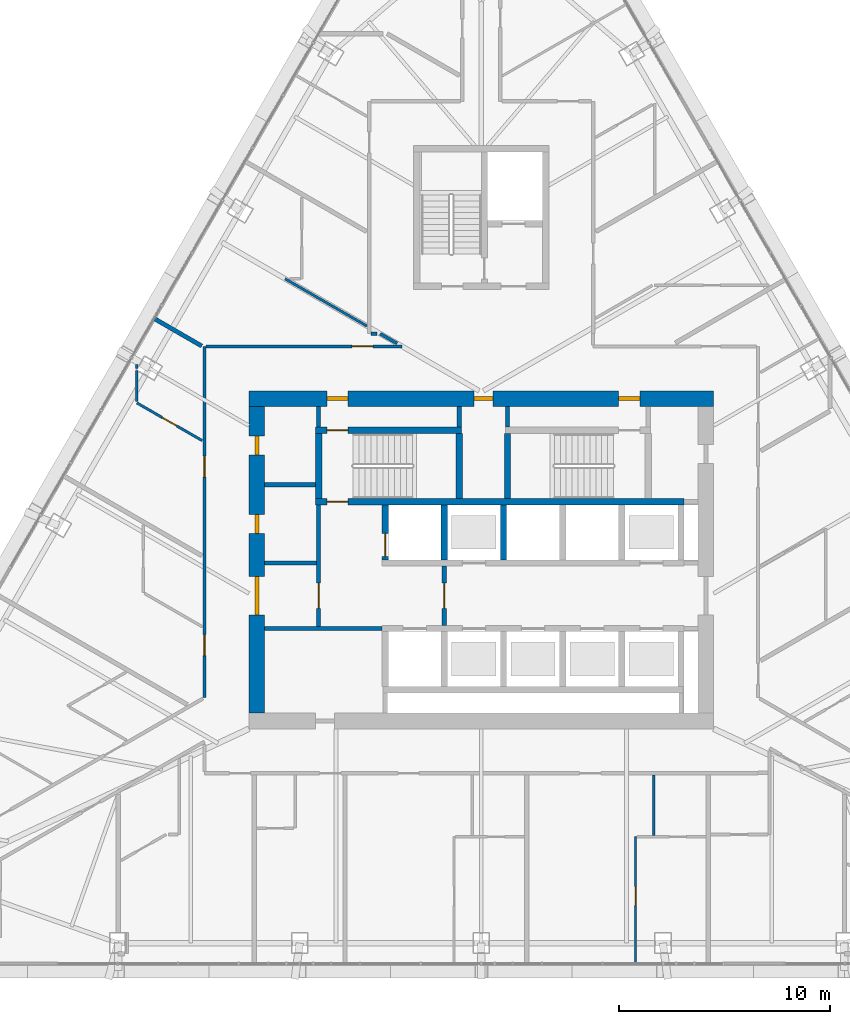
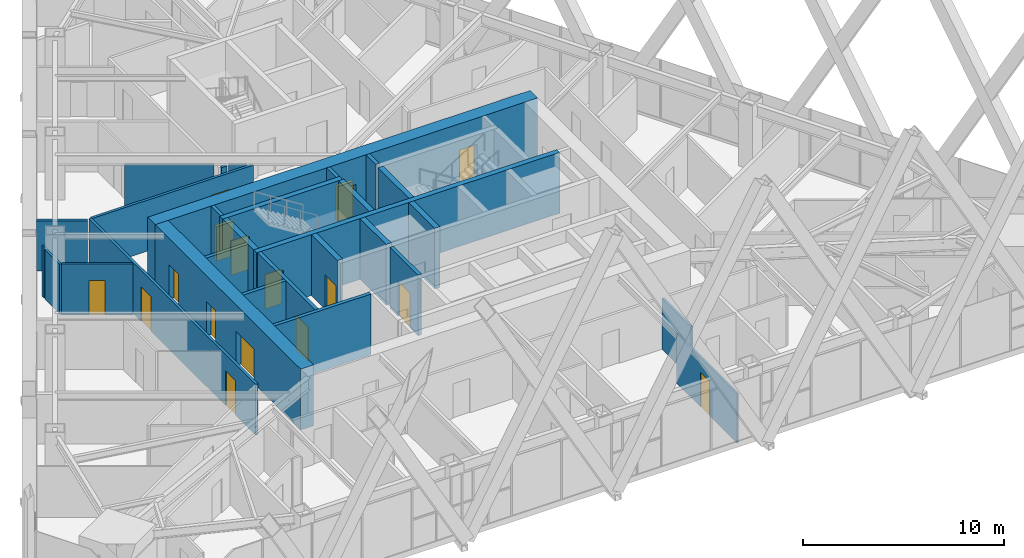
# One storey, part 18 of 23: 29 walls, 16 doors, 16 openings.
"""IFC4 building model written with IfcOpenShell, lengths in metres."""

from ifc_helpers import new_model, si_unit, direction, frame, frame_2d, origin, place, context, subcontext, project, spatial, rectangle, extrude, material, layer, layer_set, type_object, element, fill, save


model = new_model("IFC4")

# Units and contexts
model_context = context("Model", 3, precision=1e-05, world=origin(), true_north=direction((0.0, 1.0)))
body_context = subcontext(model_context, "Body", "Model", "MODEL_VIEW")
ifc_project = project(units=[si_unit("LENGTHUNIT", "METRE"), si_unit("AREAUNIT", "SQUARE_METRE"), si_unit("VOLUMEUNIT", "CUBIC_METRE"), si_unit("PLANEANGLEUNIT", "RADIAN"), si_unit("MASSUNIT", "GRAM", prefix="KILO")], contexts=[model_context])

# Site, building, storey
site_placement = place(None, origin())
site = spatial("IfcSite", under=ifc_project, at=site_placement, CompositionType="ELEMENT")
building_placement = place(site_placement, origin())
building = spatial("IfcBuilding", under=site, at=building_placement, Name="Firuza Gate Tower and Library", CompositionType="ELEMENT")
storey_placement = place(building_placement, frame((0.0, 0.0, 202.60009765625)))
storey = spatial("IfcBuildingStorey", under=building, at=storey_placement, Name="L47", CompositionType="ELEMENT", Elevation=202.60009765625)

# Walls
ifc_material_1 = material(Name="Plasterboard on steel studs", Category="steel")
ifc_layer_1 = layer(ifc_material_1, 0.199951171875)
ifc_layer_set_1 = layer_set([ifc_layer_1], Name="Core partition 200 EI 120")
wall_type_1 = type_object("IfcWallType", Name="Core partition 200 EI 120", PredefinedType="PARTITIONING", material=ifc_layer_set_1)
wall_1_placement = place(storey_placement, frame((64.75, 71.75, 0.0), z_axis=(0.0, 0.0, 1.0), x_axis=(1.0, 0.0, 0.0)))
element("IfcWall", 1, at=wall_1_placement, inside=storey, type_object=wall_type_1, Name="Core partition L47 1", PredefinedType="PARTITIONING", context=body_context, shape_type="SweptSolid", body=[
    extrude(rectangle(XDim=5.550048828125, YDim=0.199951171875, at=frame_2d((2.77490234375, 0.0))), origin(), (0.0, 0.0, 1.0), 3.699951171875),
])
ifc_material_2 = material(Name="Plasterboard on steel studs", Category="steel")
ifc_layer_2 = layer(ifc_material_2, 0.199951171875)
ifc_layer_set_2 = layer_set([ifc_layer_2], Name="Core partition 200 EI 60")
wall_type_2 = type_object("IfcWallType", Name="Core partition 200 EI 60", PredefinedType="PARTITIONING", material=ifc_layer_set_2)
wall_2_placement = place(storey_placement, frame((64.75, 74.85009765625, 0.0), z_axis=(0.0, 0.0, 1.0), x_axis=(1.0, 0.0, 0.0)))
element("IfcWall", 2, at=wall_2_placement, inside=storey, type_object=wall_type_2, Name="Core partition L47 3", PredefinedType="PARTITIONING", context=body_context, shape_type="SweptSolid", body=[
    extrude(rectangle(XDim=2.449951171875, YDim=0.199951171875, at=frame_2d((1.22509765625, 0.0))), origin(), (0.0, 0.0, 1.0), 3.699951171875),
])
wall_3_placement = place(storey_placement, frame((64.75, 78.550048828125, 0.0), z_axis=(0.0, 0.0, 1.0), x_axis=(1.0, 0.0, 0.0)))
element("IfcWall", 3, at=wall_3_placement, inside=storey, type_object=wall_type_2, Name="Core partition L47 6", PredefinedType="PARTITIONING", context=body_context, shape_type="SweptSolid", body=[
    extrude(rectangle(XDim=2.39990234375, YDim=0.199951171875, at=frame_2d((1.199951171875, 0.0))), origin(), (0.0, 0.0, 1.0), 3.699951171875),
])

# Wall, opening, door
wall_4_placement = place(storey_placement, frame((67.300048828125, 71.85009765625, 0.0), z_axis=(0.0, 0.0, 1.0), x_axis=(0.0, 1.0, 0.0)))
wall_4 = element("IfcWall", 4, at=wall_4_placement, inside=storey, type_object=wall_type_2, Name="Core partition L47 7", PredefinedType="PARTITIONING", context=body_context, shape_type="SweptSolid", body=[
    extrude(rectangle(XDim=5.75, YDim=0.199951171875, at=frame_2d((2.875, 0.0))), origin(), (0.0, 0.0, 1.0), 3.699951171875),
])
opening_1_placement = place(wall_4_placement, frame((0.85009765625, 0.0, 0.0)))
opening_1 = element("IfcOpeningElement", 5, at=opening_1_placement, cuts=wall_4, Name="Opening L47-K19", PredefinedType="OPENING", context=body_context, shape_type="SweptSolid", body=[
    extrude(rectangle(XDim=1.199951171875, YDim=2.10009765625, at=frame_2d((0.60009765625, 1.050048828125))), frame((0.0, 0.10986328125, 0.0), z_axis=(0.0, -1.0, 0.0), x_axis=(1.0, 0.0, 0.0)), (0.0, 0.0, 1.0), 0.219970703125),
])
ifc_material_3 = material(Name="Steel", Category="steel")
door_type_1 = type_object("IfcDoorType", Name="Fire door 1200x2100 FD90S", OperationType="NOTDEFINED", PredefinedType="DOOR", material=ifc_material_3)
door_1_placement = place(opening_1_placement, origin())
door_1 = element("IfcDoor", 6, at=door_1_placement, inside=storey, type_object=door_type_1, Name="Door L47-K19", OperationType="SINGLE_SWING_RIGHT", OverallHeight=2.10009765625, OverallWidth=1.199951171875, PredefinedType="DOOR", context=body_context, shape_type="SweptSolid", body=[
    extrude(rectangle(XDim=1.199951171875, YDim=2.10009765625, at=frame_2d((0.60009765625, 1.050048828125))), frame((0.0, 0.02490234375, 0.0), z_axis=(0.0, -1.0, 0.0), x_axis=(1.0, 0.0, 0.0)), (0.0, 0.0, 1.0), 0.050048828125),
])
fill(opening_1, door_1)

# Wall
wall_5_placement = place(storey_placement, frame((67.300048828125, 81.280029296875, 0.0), z_axis=(0.0, 0.0, 1.0), x_axis=(0.0, 1.0, 0.0)))
element("IfcWall", 7, at=wall_5_placement, inside=storey, type_object=wall_type_2, Name="Core partition L47 8", PredefinedType="PARTITIONING", context=body_context, shape_type="SweptSolid", body=[
    extrude(rectangle(XDim=0.969970703125, YDim=0.199951171875, at=frame_2d((0.48486328125, 0.0))), origin(), (0.0, 0.0, 1.0), 3.699951171875),
])

# Wall, opening, door
wall_6_placement = place(storey_placement, frame((73.25, 71.89990234375, 0.0), z_axis=(0.0, 0.0, 1.0), x_axis=(0.0, 1.0, 0.0)))
wall_6 = element("IfcWall", 8, at=wall_6_placement, inside=storey, type_object=wall_type_2, Name="Core partition L47 10", PredefinedType="PARTITIONING", context=body_context, shape_type="SweptSolid", body=[
    extrude(rectangle(XDim=2.800048828125, YDim=0.199951171875, at=frame_2d((1.39990234375, 0.0))), origin(), (0.0, 0.0, 1.0), 3.699951171875),
])
opening_2_placement = place(wall_6_placement, frame((0.800048828125, 0.0, 0.0)))
opening_2 = element("IfcOpeningElement", 9, at=opening_2_placement, cuts=wall_6, Name="Opening L47-K18", PredefinedType="OPENING", context=body_context, shape_type="SweptSolid", body=[
    extrude(rectangle(XDim=1.199951171875, YDim=2.10009765625, at=frame_2d((0.60009765625, 1.050048828125))), frame((0.0, 0.10986328125, 0.0), z_axis=(0.0, -1.0, 0.0), x_axis=(1.0, 0.0, 0.0)), (0.0, 0.0, 1.0), 0.219970703125),
])
door_2_placement = place(opening_2_placement, origin())
door_2 = element("IfcDoor", 10, at=door_2_placement, inside=storey, type_object=door_type_1, Name="Door L47-K18", OperationType="SINGLE_SWING_LEFT", OverallHeight=2.10009765625, OverallWidth=1.199951171875, PredefinedType="DOOR", context=body_context, shape_type="SweptSolid", body=[
    extrude(rectangle(XDim=1.199951171875, YDim=2.10009765625, at=frame_2d((0.60009765625, 1.050048828125))), frame((0.0, 0.02490234375, 0.0), z_axis=(0.0, -1.0, 0.0), x_axis=(1.0, 0.0, 0.0)), (0.0, 0.0, 1.0), 0.050048828125),
])
fill(opening_2, door_2)

# Walls
for number, where, z_axis, x_axis, name in (
    (11, (73.9599609375, 81.280029296875, 0.0), (0.0, 0.0, 1.0), (0.0, 1.0, 0.0), "Core partition L47 11"),
    (12, (76.239990234375, 81.280029296875, 0.0), (0.0, 0.0, 1.0), (0.0, 1.0, 0.0), "Core partition L47 12"),
):
    element("IfcWall", number, at=place(storey_placement, frame(where, z_axis=z_axis, x_axis=x_axis)), inside=storey, type_object=wall_type_2, Name=name, PredefinedType="PARTITIONING", context=body_context, shape_type="SweptSolid", body=[
        extrude(rectangle(XDim=0.969970703125, YDim=0.199951171875, at=frame_2d((0.48486328125, 0.0))), origin(), (0.0, 0.0, 1.0), 3.699951171875),
    ])

# Wall, opening, door
ifc_material_4 = material(Name="Concrete C80/95", Category="concrete")
ifc_layer_3 = layer(ifc_material_4, 0.300048828125)
ifc_layer_set_3 = layer_set([ifc_layer_3], Name="Core wall 300 C80/95")
wall_type_3 = type_object("IfcWallType", Name="Core wall 300 C80/95", PredefinedType="SHEAR", material=ifc_layer_set_3)
wall_7_placement = place(storey_placement, frame((70.449951171875, 75.0, 0.0), z_axis=(0.0, 0.0, 1.0), x_axis=(0.0, 1.0, 0.0)))
wall_7 = element("IfcWall", 13, at=wall_7_placement, inside=storey, type_object=wall_type_3, Name="Core wall L47 9", PredefinedType="SHEAR", context=body_context, shape_type="SweptSolid", body=[
    extrude(rectangle(XDim=2.60009765625, YDim=0.300048828125, at=frame_2d((1.300048828125, 0.0))), origin(), (0.0, 0.0, 1.0), 3.699951171875),
])
opening_3_placement = place(wall_7_placement, frame((0.14990234375, 0.0, 0.0)))
opening_3 = element("IfcOpeningElement", 14, at=opening_3_placement, cuts=wall_7, Name="Opening LD-FF2-L47", PredefinedType="OPENING", context=body_context, shape_type="SweptSolid", body=[
    extrude(rectangle(XDim=1.10009765625, YDim=2.10009765625, at=frame_2d((0.550048828125, 1.050048828125))), frame((0.0, 0.16015625, 0.0), z_axis=(0.0, -1.0, 0.0), x_axis=(1.0, 0.0, 0.0)), (0.0, 0.0, 1.0), 0.320068359375),
])
ifc_material_5 = material(Name="Stainless steel", Category="steel")
door_type_2 = type_object("IfcDoorType", Name="Lift landing door 1100x2100", OperationType="DOUBLE_DOOR_SLIDING", PredefinedType="DOOR", material=ifc_material_5)
door_3_placement = place(opening_3_placement, origin())
door_3 = element("IfcDoor", 15, at=door_3_placement, inside=storey, type_object=door_type_2, Name="Landing door FF2 L47", OperationType="DOUBLE_DOOR_SLIDING", OverallHeight=2.10009765625, OverallWidth=1.10009765625, PredefinedType="DOOR", context=body_context, shape_type="SweptSolid", body=[
    extrude(rectangle(XDim=1.10009765625, YDim=2.10009765625, at=frame_2d((0.550048828125, 1.050048828125))), frame((0.0, 0.02490234375, 0.0), z_axis=(0.0, -1.0, 0.0), x_axis=(1.0, 0.0, 0.0)), (0.0, 0.0, 1.0), 0.050048828125),
])
fill(opening_3, door_3)

# Walls
for number, where, z_axis, x_axis, name in (
    (16, (73.25, 75.0, 0.0), (0.0, 0.0, 1.0), (0.0, 1.0, 0.0), "Core wall L47 11"),
    (17, (76.050048828125, 75.0, 0.0), (0.0, 0.0, 1.0), (0.0, 1.0, 0.0), "Core wall L47 13"),
):
    element("IfcWall", number, at=place(storey_placement, frame(where, z_axis=z_axis, x_axis=x_axis)), inside=storey, type_object=wall_type_3, Name=name, PredefinedType="SHEAR", context=body_context, shape_type="SweptSolid", body=[
        extrude(rectangle(XDim=2.60009765625, YDim=0.300048828125, at=frame_2d((1.300048828125, 0.0))), origin(), (0.0, 0.0, 1.0), 3.699951171875),
    ])

# Wall, opening, door
wall_8_placement = place(storey_placement, frame((67.14990234375, 77.75, 0.0), z_axis=(0.0, 0.0, 1.0), x_axis=(1.0, 0.0, 0.0)))
wall_8 = element("IfcWall", 18, at=wall_8_placement, inside=storey, type_object=wall_type_3, Name="Core wall L47 20", PredefinedType="SHEAR", context=body_context, shape_type="SweptSolid", body=[
    extrude(rectangle(XDim=17.4501953125, YDim=0.300048828125, at=frame_2d((8.72509765625, 0.0))), origin(), (0.0, 0.0, 1.0), 3.699951171875),
])
opening_4_placement = place(wall_8_placement, frame((0.544921875, 0.0, 0.0)))
opening_4 = element("IfcOpeningElement", 19, at=opening_4_placement, cuts=wall_8, Name="Opening L47-K10", PredefinedType="OPENING", context=body_context, shape_type="SweptSolid", body=[
    extrude(rectangle(XDim=1.0, YDim=2.10009765625, at=frame_2d((0.5, 1.050048828125))), frame((0.0, 0.16015625, 0.0), z_axis=(0.0, -1.0, 0.0), x_axis=(1.0, 0.0, 0.0)), (0.0, 0.0, 1.0), 0.320068359375),
])
ifc_material_6 = material(Name="Steel", Category="steel")
door_type_3 = type_object("IfcDoorType", Name="Fire door 1000x2100 FD90", OperationType="NOTDEFINED", PredefinedType="DOOR", material=ifc_material_6)
door_4_placement = place(opening_4_placement, origin())
door_4 = element("IfcDoor", 20, at=door_4_placement, inside=storey, type_object=door_type_3, Name="Door L47-K10", OperationType="SINGLE_SWING_LEFT", OverallHeight=2.10009765625, OverallWidth=1.0, PredefinedType="DOOR", context=body_context, shape_type="SweptSolid", body=[
    extrude(rectangle(XDim=1.0, YDim=2.10009765625, at=frame_2d((0.5, 1.050048828125))), frame((0.0, 0.02490234375, 0.0), z_axis=(0.0, -1.0, 0.0), x_axis=(1.0, 0.0, 0.0)), (0.0, 0.0, 1.0), 0.050048828125),
])
fill(opening_4, door_4)

wall_9_placement = place(storey_placement, frame((67.14990234375, 81.1298828125, 0.0), z_axis=(0.0, 0.0, 1.0), x_axis=(1.0, 0.0, 0.0)))
wall_9 = element("IfcWall", 21, at=wall_9_placement, inside=storey, type_object=wall_type_3, Name="Core wall L47 21", PredefinedType="SHEAR", context=body_context, shape_type="SweptSolid", body=[
    extrude(rectangle(XDim=6.91015625, YDim=0.300048828125, at=frame_2d((3.455078125, 0.0))), origin(), (0.0, 0.0, 1.0), 3.699951171875),
])
opening_5_placement = place(wall_9_placement, frame((0.544921875, 0.0, 0.0)))
opening_5 = element("IfcOpeningElement", 22, at=opening_5_placement, cuts=wall_9, Name="Opening L47-K11", PredefinedType="OPENING", context=body_context, shape_type="SweptSolid", body=[
    extrude(rectangle(XDim=1.0, YDim=2.10009765625, at=frame_2d((0.5, 1.050048828125))), frame((0.0, 0.16015625, 0.0), z_axis=(0.0, -1.0, 0.0), x_axis=(1.0, 0.0, 0.0)), (0.0, 0.0, 1.0), 0.320068359375),
])
door_5_placement = place(opening_5_placement, origin())
door_5 = element("IfcDoor", 23, at=door_5_placement, inside=storey, type_object=door_type_3, Name="Door L47-K11", OperationType="SINGLE_SWING_RIGHT", OverallHeight=2.10009765625, OverallWidth=1.0, PredefinedType="DOOR", context=body_context, shape_type="SweptSolid", body=[
    extrude(rectangle(XDim=1.0, YDim=2.10009765625, at=frame_2d((0.5, 1.050048828125))), frame((0.0, 0.02490234375, 0.0), z_axis=(0.0, -1.0, 0.0), x_axis=(1.0, 0.0, 0.0)), (0.0, 0.0, 1.0), 0.050048828125),
])
fill(opening_5, door_5)

# Walls
for number, where, z_axis, x_axis, name in (
    (24, (67.300048828125, 77.89990234375, 0.0), (0.0, 0.0, 1.0), (0.0, 1.0, 0.0), "Core wall L47 23"),
    (25, (73.9599609375, 77.89990234375, 0.0), (0.0, 0.0, 1.0), (0.0, 1.0, 0.0), "Core wall L47 24"),
    (26, (76.239990234375, 77.89990234375, 0.0), (0.0, 0.0, 1.0), (0.0, 1.0, 0.0), "Core wall L47 25"),
):
    element("IfcWall", number, at=place(storey_placement, frame(where, z_axis=z_axis, x_axis=x_axis)), inside=storey, type_object=wall_type_3, Name=name, PredefinedType="SHEAR", context=body_context, shape_type="SweptSolid", body=[
        extrude(rectangle(XDim=3.080078125, YDim=0.300048828125, at=frame_2d((1.5400390625, 0.0))), origin(), (0.0, 0.0, 1.0), 3.699951171875),
    ])

# Wall, openings, doors
ifc_material_7 = material(Name="Concrete C80/95", Category="concrete")
ifc_layer_4 = layer(ifc_material_7, 0.75)
ifc_layer_set_4 = layer_set([ifc_layer_4], Name="Core wall 750 C80/95")
wall_type_4 = type_object("IfcWallType", Name="Core wall 750 C80/95", PredefinedType="SHEAR", material=ifc_layer_set_4)
wall_10_placement = place(storey_placement, frame((64.0, 82.625, 0.0), z_axis=(0.0, 0.0, 1.0), x_axis=(1.0, 0.0, 0.0)))
wall_10 = element("IfcWall", 27, at=wall_10_placement, inside=storey, type_object=wall_type_4, Name="Core wall L47 2", PredefinedType="SHEAR", context=body_context, shape_type="SweptSolid", body=[
    extrude(rectangle(XDim=22.0, YDim=0.75, at=frame_2d((11.0, 0.0))), origin(), (0.0, 0.0, 1.0), 3.699951171875),
])
opening_6_placement = place(wall_10_placement, frame((3.695068359375, 0.0, 0.0)))
opening_6 = element("IfcOpeningElement", 28, at=opening_6_placement, cuts=wall_10, Name="Opening L47-K12", PredefinedType="OPENING", context=body_context, shape_type="SweptSolid", body=[
    extrude(rectangle(XDim=1.0, YDim=2.10009765625, at=frame_2d((0.5, 1.050048828125))), frame((0.0, 0.385009765625, 0.0), z_axis=(0.0, -1.0, 0.0), x_axis=(1.0, 0.0, 0.0)), (0.0, 0.0, 1.0), 0.77001953125),
])
opening_7_placement = place(wall_10_placement, frame((17.5048828125, 0.0, 0.0)))
opening_7 = element("IfcOpeningElement", 29, at=opening_7_placement, cuts=wall_10, Name="Opening L47-K14", PredefinedType="OPENING", context=body_context, shape_type="SweptSolid", body=[
    extrude(rectangle(XDim=1.0, YDim=2.10009765625, at=frame_2d((0.5, 1.050048828125))), frame((0.0, 0.385009765625, 0.0), z_axis=(0.0, -1.0, 0.0), x_axis=(1.0, 0.0, 0.0)), (0.0, 0.0, 1.0), 0.77001953125),
])
opening_8_placement = place(wall_10_placement, frame((10.64990234375, 0.0, 0.0)))
opening_8 = element("IfcOpeningElement", 30, at=opening_8_placement, cuts=wall_10, Name="Opening L47-K25", PredefinedType="OPENING", context=body_context, shape_type="SweptSolid", body=[
    extrude(rectangle(XDim=0.89990234375, YDim=2.10009765625, at=frame_2d((0.449951171875, 1.050048828125))), frame((0.0, 0.385009765625, 0.0), z_axis=(0.0, -1.0, 0.0), x_axis=(1.0, 0.0, 0.0)), (0.0, 0.0, 1.0), 0.77001953125),
])
door_6_placement = place(opening_6_placement, origin())
door_6 = element("IfcDoor", 31, at=door_6_placement, inside=storey, type_object=door_type_3, Name="Door L47-K12", OperationType="SINGLE_SWING_LEFT", OverallHeight=2.10009765625, OverallWidth=1.0, PredefinedType="DOOR", context=body_context, shape_type="SweptSolid", body=[
    extrude(rectangle(XDim=1.0, YDim=2.10009765625, at=frame_2d((0.5, 1.050048828125))), frame((0.0, 0.094970703125, 0.0), z_axis=(0.0, -1.0, 0.0), x_axis=(1.0, 0.0, 0.0)), (0.0, 0.0, 1.0), 0.18994140625),
])
fill(opening_6, door_6)
door_7_placement = place(opening_7_placement, origin())
door_7 = element("IfcDoor", 32, at=door_7_placement, inside=storey, type_object=door_type_3, Name="Door L47-K14", OperationType="SINGLE_SWING_LEFT", OverallHeight=2.10009765625, OverallWidth=1.0, PredefinedType="DOOR", context=body_context, shape_type="SweptSolid", body=[
    extrude(rectangle(XDim=1.0, YDim=2.10009765625, at=frame_2d((0.5, 1.050048828125))), frame((0.0, 0.094970703125, 0.0), z_axis=(0.0, -1.0, 0.0), x_axis=(1.0, 0.0, 0.0)), (0.0, 0.0, 1.0), 0.18994140625),
])
fill(opening_7, door_7)
ifc_material_8 = material(Name="Steel", Category="steel")
door_type_4 = type_object("IfcDoorType", Name="Fire door 900x2100 FD30S", OperationType="NOTDEFINED", PredefinedType="DOOR", material=ifc_material_8)
door_8_placement = place(opening_8_placement, origin())
door_8 = element("IfcDoor", 33, at=door_8_placement, inside=storey, type_object=door_type_4, Name="Door L47-K25", OperationType="SINGLE_SWING_RIGHT", OverallHeight=2.10009765625, OverallWidth=0.89990234375, PredefinedType="DOOR", context=body_context, shape_type="SweptSolid", body=[
    extrude(rectangle(XDim=0.89990234375, YDim=2.10009765625, at=frame_2d((0.449951171875, 1.050048828125))), frame((0.0, 0.094970703125, 0.0), z_axis=(0.0, -1.0, 0.0), x_axis=(1.0, 0.0, 0.0)), (0.0, 0.0, 1.0), 0.18994140625),
])
fill(opening_8, door_8)

wall_11_placement = place(storey_placement, frame((64.375, 67.75, 0.0), z_axis=(0.0, 0.0, 1.0), x_axis=(0.0, 1.0, 0.0)))
wall_11 = element("IfcWall", 34, at=wall_11_placement, inside=storey, type_object=wall_type_4, Name="Core wall L47 3", PredefinedType="SHEAR", context=body_context, shape_type="SweptSolid", body=[
    extrude(rectangle(XDim=14.5, YDim=0.75, at=frame_2d((7.25, 0.0))), origin(), (0.0, 0.0, 1.0), 3.699951171875),
])
opening_9_placement = place(wall_11_placement, frame((4.64990234375, 0.0, 0.0)))
opening_9 = element("IfcOpeningElement", 35, at=opening_9_placement, cuts=wall_11, Name="Opening L47-K20", PredefinedType="OPENING", context=body_context, shape_type="SweptSolid", body=[
    extrude(rectangle(XDim=1.800048828125, YDim=2.10009765625, at=frame_2d((0.89990234375, 1.050048828125))), frame((0.0, 0.385009765625, 0.0), z_axis=(0.0, -1.0, 0.0), x_axis=(1.0, 0.0, 0.0)), (0.0, 0.0, 1.0), 0.77001953125),
])
opening_10_placement = place(wall_11_placement, frame((8.5, 0.0, 0.0)))
opening_10 = element("IfcOpeningElement", 36, at=opening_10_placement, cuts=wall_11, Name="Opening L47-K23", PredefinedType="OPENING", context=body_context, shape_type="SweptSolid", body=[
    extrude(rectangle(XDim=0.89990234375, YDim=2.10009765625, at=frame_2d((0.449951171875, 1.050048828125))), frame((0.0, 0.385009765625, 0.0), z_axis=(0.0, -1.0, 0.0), x_axis=(1.0, 0.0, 0.0)), (0.0, 0.0, 1.0), 0.77001953125),
])
opening_11_placement = place(wall_11_placement, frame((12.199951171875, 0.0, 0.0)))
opening_11 = element("IfcOpeningElement", 37, at=opening_11_placement, cuts=wall_11, Name="Opening L47-K24", PredefinedType="OPENING", context=body_context, shape_type="SweptSolid", body=[
    extrude(rectangle(XDim=0.89990234375, YDim=2.10009765625, at=frame_2d((0.449951171875, 1.050048828125))), frame((0.0, 0.385009765625, 0.0), z_axis=(0.0, -1.0, 0.0), x_axis=(1.0, 0.0, 0.0)), (0.0, 0.0, 1.0), 0.77001953125),
])
ifc_material_9 = material(Name="Steel", Category="steel")
door_type_5 = type_object("IfcDoorType", Name="Fire door 1800x2100 FD30S", OperationType="NOTDEFINED", PredefinedType="DOOR", material=ifc_material_9)
door_9_placement = place(opening_9_placement, origin())
door_9 = element("IfcDoor", 38, at=door_9_placement, inside=storey, type_object=door_type_5, Name="Door L47-K20", OperationType="SINGLE_SWING_LEFT", OverallHeight=2.10009765625, OverallWidth=1.800048828125, PredefinedType="DOOR", context=body_context, shape_type="SweptSolid", body=[
    extrude(rectangle(XDim=1.800048828125, YDim=2.10009765625, at=frame_2d((0.89990234375, 1.050048828125))), frame((0.0, 0.094970703125, 0.0), z_axis=(0.0, -1.0, 0.0), x_axis=(1.0, 0.0, 0.0)), (0.0, 0.0, 1.0), 0.18994140625),
])
fill(opening_9, door_9)
door_10_placement = place(opening_10_placement, origin())
door_10 = element("IfcDoor", 39, at=door_10_placement, inside=storey, type_object=door_type_4, Name="Door L47-K23", OperationType="SINGLE_SWING_RIGHT", OverallHeight=2.10009765625, OverallWidth=0.89990234375, PredefinedType="DOOR", context=body_context, shape_type="SweptSolid", body=[
    extrude(rectangle(XDim=0.89990234375, YDim=2.10009765625, at=frame_2d((0.449951171875, 1.050048828125))), frame((0.0, 0.094970703125, 0.0), z_axis=(0.0, -1.0, 0.0), x_axis=(1.0, 0.0, 0.0)), (0.0, 0.0, 1.0), 0.18994140625),
])
fill(opening_10, door_10)
door_11_placement = place(opening_11_placement, origin())
door_11 = element("IfcDoor", 40, at=door_11_placement, inside=storey, type_object=door_type_4, Name="Door L47-K24", OperationType="SINGLE_SWING_LEFT", OverallHeight=2.10009765625, OverallWidth=0.89990234375, PredefinedType="DOOR", context=body_context, shape_type="SweptSolid", body=[
    extrude(rectangle(XDim=0.89990234375, YDim=2.10009765625, at=frame_2d((0.449951171875, 1.050048828125))), frame((0.0, 0.094970703125, 0.0), z_axis=(0.0, -1.0, 0.0), x_axis=(1.0, 0.0, 0.0)), (0.0, 0.0, 1.0), 0.18994140625),
])
fill(opening_11, door_11)

# Wall, opening, door
ifc_material_10 = material(Name="Gypsum board partition")
ifc_layer_5 = layer(ifc_material_10, 0.14990234375)
ifc_layer_set_5 = layer_set([ifc_layer_5], Name="Corridor wall 150 double board on steel studs")
wall_type_5 = type_object("IfcWallType", Name="Corridor wall 150 double board on steel studs", PredefinedType="PARTITIONING", material=ifc_layer_set_5)
wall_12_placement = place(storey_placement, frame((61.9755859375, 85.10009765625, 0.0), z_axis=(0.0, 0.0, 1.0), x_axis=(1.0, 0.0, 0.0)))
wall_12 = element("IfcWall", 41, at=wall_12_placement, inside=storey, type_object=wall_type_5, Name="f:L47:w009", PredefinedType="PARTITIONING", context=body_context, shape_type="SweptSolid", body=[
    extrude(rectangle(XDim=9.28076171875, YDim=0.14990234375, at=frame_2d((4.640380859375, 0.0))), origin(), (0.0, 0.0, 1.0), 3.096923828125),
])
opening_12_placement = place(wall_12_placement, frame((6.898681640625, 0.0, 0.0)))
opening_12 = element("IfcOpeningElement", 42, at=opening_12_placement, cuts=wall_12, Name="Opening L47-09", PredefinedType="OPENING", context=body_context, shape_type="SweptSolid", body=[
    extrude(rectangle(XDim=1.0, YDim=2.10009765625, at=frame_2d((0.5, 1.050048828125))), frame((0.0, 0.0849609375, 0.0), z_axis=(0.0, -1.0, 0.0), x_axis=(1.0, 0.0, 0.0)), (0.0, 0.0, 1.0), 0.169921875),
])
ifc_material_11 = material(Name="Steel door and timber leaf", Category="steel")
door_type_6 = type_object("IfcDoorType", Name="Fire door 1000 x 2100 steel frame, timber leaf", OperationType="NOTDEFINED", PredefinedType="DOOR", material=ifc_material_11)
door_12_placement = place(opening_12_placement, origin())
door_12 = element("IfcDoor", 43, at=door_12_placement, inside=storey, type_object=door_type_6, Name="f:L47:d009", OperationType="SINGLE_SWING_RIGHT", OverallHeight=2.10009765625, OverallWidth=1.0, PredefinedType="DOOR", context=body_context, shape_type="SweptSolid", body=[
    extrude(rectangle(XDim=1.0, YDim=2.10009765625, at=frame_2d((0.5, 1.050048828125))), frame((0.0, 0.02490234375, 0.0), z_axis=(0.0, -1.0, 0.0), x_axis=(1.0, 0.0, 0.0)), (0.0, 0.0, 1.0), 0.050048828125),
])
fill(opening_12, door_12)

# Wall
wall_13_placement = place(storey_placement, frame((69.775390625, 85.699951171875, 0.0), z_axis=(0.0, 0.0, 1.0), x_axis=(1.0, 0.0, 0.0)))
element("IfcWall", 44, at=wall_13_placement, inside=storey, type_object=wall_type_5, Name="f:L47:w011", PredefinedType="PARTITIONING", context=body_context, shape_type="SweptSolid", body=[
    extrude(rectangle(XDim=0.291748046875, YDim=0.14990234375, at=frame_2d((0.14599609375, 0.0))), origin(), (0.0, 0.0, 1.0), 3.096923828125),
])

# Wall, openings, doors
wall_14_placement = place(storey_placement, frame((61.89990234375, 68.47607421875, 0.0), z_axis=(0.0, 0.0, 1.0), x_axis=(0.0, 1.0, 0.0)))
wall_14 = element("IfcWall", 45, at=wall_14_placement, inside=storey, type_object=wall_type_5, Name="f:L47:w064", PredefinedType="PARTITIONING", context=body_context, shape_type="SweptSolid", body=[
    extrude(rectangle(XDim=16.62353515625, YDim=0.14990234375, at=frame_2d((8.311767578125, 0.0))), origin(), (0.0, 0.0, 1.0), 3.099853515625),
])
opening_13_placement = place(wall_14_placement, frame((1.984375, 0.0, 0.0)))
opening_13 = element("IfcOpeningElement", 46, at=opening_13_placement, cuts=wall_14, Name="Opening L47-33", PredefinedType="OPENING", context=body_context, shape_type="SweptSolid", body=[
    extrude(rectangle(XDim=1.0, YDim=2.10009765625, at=frame_2d((0.5, 1.050048828125))), frame((0.0, 0.0849609375, 0.0), z_axis=(0.0, -1.0, 0.0), x_axis=(1.0, 0.0, 0.0)), (0.0, 0.0, 1.0), 0.169921875),
])
opening_14_placement = place(wall_14_placement, frame((10.4365234375, 0.0, 0.0)))
opening_14 = element("IfcOpeningElement", 47, at=opening_14_placement, cuts=wall_14, Name="Opening L47-34", PredefinedType="OPENING", context=body_context, shape_type="SweptSolid", body=[
    extrude(rectangle(XDim=1.0, YDim=2.10009765625, at=frame_2d((0.5, 1.050048828125))), frame((0.0, 0.0849609375, 0.0), z_axis=(0.0, -1.0, 0.0), x_axis=(1.0, 0.0, 0.0)), (0.0, 0.0, 1.0), 0.169921875),
])
door_13_placement = place(opening_13_placement, origin())
door_13 = element("IfcDoor", 48, at=door_13_placement, inside=storey, type_object=door_type_6, Name="f:L47:d033", OperationType="SINGLE_SWING_RIGHT", OverallHeight=2.10009765625, OverallWidth=1.0, PredefinedType="DOOR", context=body_context, shape_type="SweptSolid", body=[
    extrude(rectangle(XDim=1.0, YDim=2.10009765625, at=frame_2d((0.5, 1.050048828125))), frame((0.0, 0.02490234375, 0.0), z_axis=(0.0, -1.0, 0.0), x_axis=(1.0, 0.0, 0.0)), (0.0, 0.0, 1.0), 0.050048828125),
])
fill(opening_13, door_13)
door_14_placement = place(opening_14_placement, origin())
door_14 = element("IfcDoor", 49, at=door_14_placement, inside=storey, type_object=door_type_6, Name="f:L47:d034", OperationType="SINGLE_SWING_RIGHT", OverallHeight=2.10009765625, OverallWidth=1.0, PredefinedType="DOOR", context=body_context, shape_type="SweptSolid", body=[
    extrude(rectangle(XDim=1.0, YDim=2.10009765625, at=frame_2d((0.5, 1.050048828125))), frame((0.0, 0.02490234375, 0.0), z_axis=(0.0, -1.0, 0.0), x_axis=(1.0, 0.0, 0.0)), (0.0, 0.0, 1.0), 0.050048828125),
])
fill(opening_14, door_14)

# Walls
wall_15_placement = place(storey_placement, frame((71.013916015625, 85.239990234375, 0.0), z_axis=(0.0, 0.0, 1.0), x_axis=(-0.865964657013, 0.500105201737, 0.0)))
element("IfcWall", 50, at=wall_15_placement, inside=storey, type_object=wall_type_5, Name="f:L47:w079", PredefinedType="PARTITIONING", context=body_context, shape_type="SweptSolid", body=[
    extrude(rectangle(XDim=0.920166015625, YDim=0.14990234375, at=frame_2d((0.4599609375, 0.0))), origin(), (0.0, 0.0, 1.0), 3.096923828125),
])
ifc_material_12 = material(Name="Gypsum board partition")
ifc_layer_6 = layer(ifc_material_12, 0.199951171875)
ifc_layer_set_6 = layer_set([ifc_layer_6], Name="Demising wall 200 acoustic double stud")
wall_type_6 = type_object("IfcWallType", Name="Demising wall 200 acoustic double stud", PredefinedType="PARTITIONING", material=ifc_layer_set_6)
wall_16_placement = place(storey_placement, frame((61.77001953125, 85.118896484375, 0.0), z_axis=(0.0, 0.0, 1.0), x_axis=(-0.866055039205, 0.499948666432, 0.0)))
element("IfcWall", 51, at=wall_16_placement, inside=storey, type_object=wall_type_6, Name="f:L47:w084", PredefinedType="PARTITIONING", context=body_context, shape_type="SweptSolid", body=[
    extrude(rectangle(XDim=2.584716796875, YDim=0.199951171875, at=frame_2d((1.29248046875, 0.0))), origin(), (0.0, 0.0, 1.0), 3.02197265625),
])

# Wall, opening, door
ifc_material_13 = material(Name="Gypsum board partition")
ifc_layer_7 = layer(ifc_material_13, 0.10009765625)
ifc_layer_set_7 = layer_set([ifc_layer_7], Name="Partition 100 gypsum board on steel studs")
wall_type_7 = type_object("IfcWallType", Name="Partition 100 gypsum board on steel studs", PredefinedType="PARTITIONING", material=ifc_layer_set_7)
wall_17_placement = place(storey_placement, frame((82.304931640625, 61.89990234375, 0.0), z_axis=(0.0, 0.0, 1.0), x_axis=(0.0, -1.0, 0.0)))
wall_17 = element("IfcWall", 52, at=wall_17_placement, inside=storey, type_object=wall_type_7, Name="f:L47:w049", PredefinedType="PARTITIONING", context=body_context, shape_type="SweptSolid", body=[
    extrude(rectangle(XDim=6.001708984375, YDim=0.10009765625, at=frame_2d((3.0009765625, 0.0))), origin(), (0.0, 0.0, 1.0), 3.02197265625),
])
opening_15_placement = place(wall_17_placement, frame((2.370849609375, 0.0, 0.0)))
opening_15 = element("IfcOpeningElement", 53, at=opening_15_placement, cuts=wall_17, Name="Opening L47-26", PredefinedType="OPENING", context=body_context, shape_type="SweptSolid", body=[
    extrude(rectangle(XDim=0.89990234375, YDim=2.10009765625, at=frame_2d((0.449951171875, 1.050048828125))), frame((0.0, 0.06005859375, 0.0), z_axis=(0.0, -1.0, 0.0), x_axis=(1.0, 0.0, 0.0)), (0.0, 0.0, 1.0), 0.1201171875),
])
ifc_material_14 = material(Name="Timber door", Category="wood")
door_type_7 = type_object("IfcDoorType", Name="Door 900 x 2100 timber leaf", OperationType="NOTDEFINED", PredefinedType="DOOR", material=ifc_material_14)
door_15_placement = place(opening_15_placement, origin())
door_15 = element("IfcDoor", 54, at=door_15_placement, inside=storey, type_object=door_type_7, Name="f:L47:d026", OperationType="SINGLE_SWING_RIGHT", OverallHeight=2.10009765625, OverallWidth=0.89990234375, PredefinedType="DOOR", context=body_context, shape_type="SweptSolid", body=[
    extrude(rectangle(XDim=0.89990234375, YDim=2.10009765625, at=frame_2d((0.449951171875, 1.050048828125))), frame((0.0, 0.02490234375, 0.0), z_axis=(0.0, -1.0, 0.0), x_axis=(1.0, 0.0, 0.0)), (0.0, 0.0, 1.0), 0.050048828125),
])
fill(opening_15, door_15)

# Walls
ifc_material_15 = material(Name="Gypsum board partition")
ifc_layer_8 = layer(ifc_material_15, 0.1201171875)
ifc_layer_set_8 = layer_set([ifc_layer_8], Name="Wet-area partition 120 moisture-resistant board")
wall_type_8 = type_object("IfcWallType", Name="Wet-area partition 120 moisture-resistant board", PredefinedType="PARTITIONING", material=ifc_layer_set_8)
wall_18_placement = place(storey_placement, frame((83.1640625, 61.9599609375, 0.0), z_axis=(0.0, 0.0, 1.0), x_axis=(0.0, 1.0, 0.0)))
element("IfcWall", 55, at=wall_18_placement, inside=storey, type_object=wall_type_8, Name="f:L47:w048", PredefinedType="PARTITIONING", context=body_context, shape_type="SweptSolid", body=[
    extrude(rectangle(XDim=2.864990234375, YDim=0.1201171875, at=frame_2d((1.4326171875, 0.0))), origin(), (0.0, 0.0, 1.0), 3.099853515625),
])
wall_19_placement = place(storey_placement, frame((58.699951171875, 82.495361328125, 0.0), z_axis=(0.0, 0.0, 1.0), x_axis=(0.0, 1.0, 0.0)))
element("IfcWall", 56, at=wall_19_placement, inside=storey, type_object=wall_type_8, Name="f:L47:w067", PredefinedType="PARTITIONING", context=body_context, shape_type="SweptSolid", body=[
    extrude(rectangle(XDim=1.453369140625, YDim=0.1201171875, at=frame_2d((0.7265625, 0.0))), origin(), (0.0, 0.0, 1.0), 3.02197265625),
])
wall_20_placement = place(storey_placement, frame((58.699951171875, 84.051025390625, 0.0), z_axis=(0.0, 0.0, 1.0), x_axis=(0.0, 1.0, 0.0)))
element("IfcWall", 57, at=wall_20_placement, inside=storey, type_object=wall_type_8, Name="f:L47:w068", PredefinedType="PARTITIONING", context=body_context, shape_type="SweptSolid", body=[
    extrude(rectangle(XDim=0.199951171875, YDim=0.1201171875, at=frame_2d((0.10009765625, 0.0))), origin(), (0.0, 0.0, 1.0), 3.099853515625),
])
wall_21_placement = place(storey_placement, frame((69.59033203125, 86.06201171875, 0.0), z_axis=(0.0, 0.0, 1.0), x_axis=(-0.866029361473, 0.49999314502, 0.0)))
element("IfcWall", 58, at=wall_21_placement, inside=storey, type_object=wall_type_8, Name="f:L47:w080", PredefinedType="PARTITIONING", context=body_context, shape_type="SweptSolid", body=[
    extrude(rectangle(XDim=4.47607421875, YDim=0.1201171875, at=frame_2d((2.238037109375, 0.0))), origin(), (0.0, 0.0, 1.0), 3.096923828125),
])

# Wall, opening, door
wall_22_placement = place(storey_placement, frame((58.699951171875, 82.426025390625, 0.0), z_axis=(0.0, 0.0, 1.0), x_axis=(0.866028357664, -0.499994883695, 0.0)))
wall_22 = element("IfcWall", 59, at=wall_22_placement, inside=storey, type_object=wall_type_8, Name="f:L47:w088", PredefinedType="PARTITIONING", context=body_context, shape_type="SweptSolid", body=[
    extrude(rectangle(XDim=3.568359375, YDim=0.1201171875, at=frame_2d((1.7841796875, 0.0))), origin(), (0.0, 0.0, 1.0), 3.099853515625),
])
opening_16_placement = place(wall_22_placement, frame((1.38427734375, 0.0, 0.0)))
opening_16 = element("IfcOpeningElement", 60, at=opening_16_placement, cuts=wall_22, Name="Opening L47-44", PredefinedType="OPENING", context=body_context, shape_type="SweptSolid", body=[
    extrude(rectangle(XDim=0.800048828125, YDim=2.10009765625, at=frame_2d((0.39990234375, 1.050048828125))), frame((0.0, 0.070068359375, 0.0), z_axis=(0.0, -1.0, 0.0), x_axis=(1.0, 0.0, 0.0)), (0.0, 0.0, 1.0), 0.14013671875),
])
ifc_material_16 = material(Name="Timber door", Category="wood")
door_type_8 = type_object("IfcDoorType", Name="Door 800 x 2100 timber leaf", OperationType="NOTDEFINED", PredefinedType="DOOR", material=ifc_material_16)
door_16_placement = place(opening_16_placement, origin())
door_16 = element("IfcDoor", 61, at=door_16_placement, inside=storey, type_object=door_type_8, Name="f:L47:d044", OperationType="SINGLE_SWING_RIGHT", OverallHeight=2.10009765625, OverallWidth=0.800048828125, PredefinedType="DOOR", context=body_context, shape_type="SweptSolid", body=[
    extrude(rectangle(XDim=0.800048828125, YDim=2.10009765625, at=frame_2d((0.39990234375, 1.050048828125))), frame((0.0, 0.02490234375, 0.0), z_axis=(0.0, -1.0, 0.0), x_axis=(1.0, 0.0, 0.0)), (0.0, 0.0, 1.0), 0.050048828125),
])
fill(opening_16, door_16)

save(model, "model.ifc")
